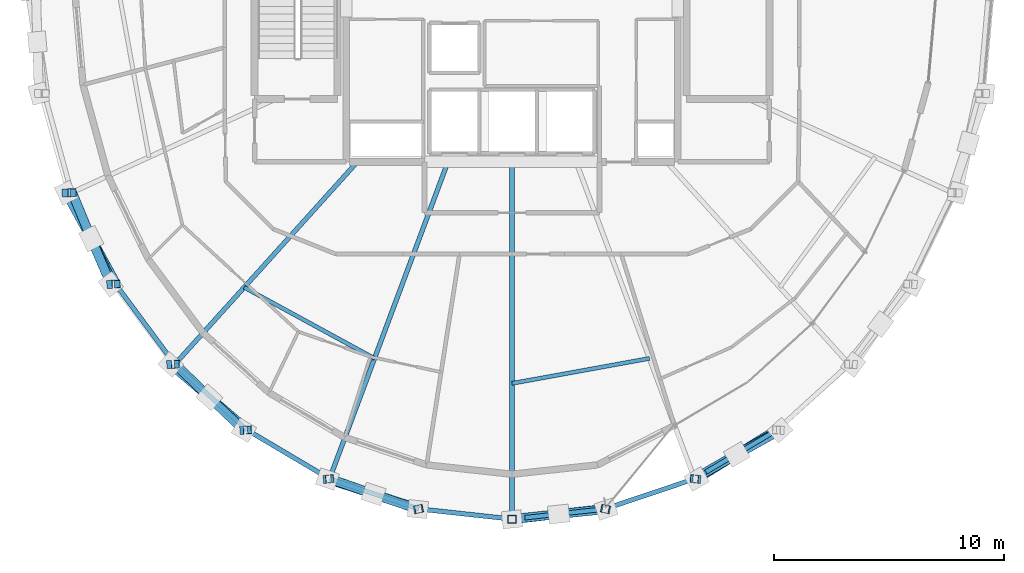
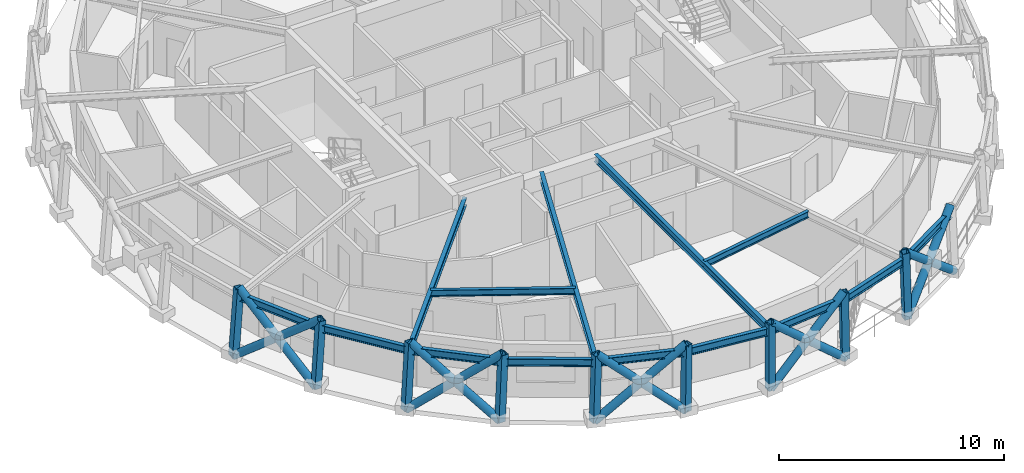
# One storey, part 1 of 15: 24 members, 14 beams.
"""IFC4 building model written with IfcOpenShell, lengths in metres."""

from ifc_helpers import new_model, si_unit, direction, frame, origin, origin_2d, place, context, subcontext, project, spatial, hollow_rectangle, hollow_circle, i_section, extrude, material, material_profile, profile_set, type_object, element, save


model = new_model("IFC4")

# Units and contexts
model_context = context("Model", 3, precision=1e-05, world=origin(), true_north=direction((0.0, 1.0)))
body_context = subcontext(model_context, "Body", "Model", "MODEL_VIEW")
ifc_project = project(units=[si_unit("LENGTHUNIT", "METRE"), si_unit("AREAUNIT", "SQUARE_METRE"), si_unit("VOLUMEUNIT", "CUBIC_METRE"), si_unit("PLANEANGLEUNIT", "RADIAN"), si_unit("MASSUNIT", "GRAM", prefix="KILO")], contexts=[model_context])

# Site, building, storey
site_placement = place(None, origin())
site = spatial("IfcSite", under=ifc_project, at=site_placement, CompositionType="ELEMENT")
building_placement = place(site_placement, origin())
building = spatial("IfcBuilding", under=site, at=building_placement, Name="Veldorina Hangang Commons", CompositionType="ELEMENT")
storey_placement = place(building_placement, frame((0.0, 0.0, 276.0)))
storey = spatial("IfcBuildingStorey", under=building, at=storey_placement, Name="L72", CompositionType="ELEMENT", Elevation=276.0)

# Beams
ifc_material = material(Name="Steel SM355-TMC", Category="steel")
ifc_material_profile_1 = material_profile(ifc_material, i_section(OverallWidth=0.199951171875, OverallDepth=0.39990234375, WebThickness=0.008056640625, FlangeThickness=0.012939453125, FilletRadius=0.012939453125, at=origin_2d()), Name="H-400x200x8x13")
ifc_profile_set_1 = profile_set([ifc_material_profile_1], Name="Steel SM355-TMC")
beam_type_1 = type_object("IfcBeamType", Name="BM-FG400", PredefinedType="BEAM", material=ifc_profile_set_1)
beam_1_placement = place(storey_placement, frame((25.281494140625, 16.550048828125, 3.159912109375), z_axis=(-0.669683766182, -0.742646385107, 0.0), x_axis=(0.742646385107, -0.669683766182, 0.0)))
element("IfcBeam", 1, at=beam_1_placement, inside=storey, type_object=beam_type_1, Name="L72 radial floor girder 11", PredefinedType="BEAM", context=body_context, shape_type="SweptSolid", body=[
    extrude(i_section(OverallWidth=0.199951171875, OverallDepth=0.39990234375, WebThickness=0.008056640625, FlangeThickness=0.012939453125, FilletRadius=0.012939453125, at=origin_2d()), origin(), (0.0, 0.0, 1.0), 11.831787109375),
])
beam_2_placement = place(storey_placement, frame((29.217041015625, 16.550048828125, 3.159912109375), z_axis=(-0.349917689305, -0.936780449578, 0.0), x_axis=(0.936780449578, -0.349917689305, 0.0)))
element("IfcBeam", 2, at=beam_2_placement, inside=storey, type_object=beam_type_1, Name="L72 radial floor girder 12", PredefinedType="BEAM", context=body_context, shape_type="SweptSolid", body=[
    extrude(i_section(OverallWidth=0.199951171875, OverallDepth=0.39990234375, WebThickness=0.008056640625, FlangeThickness=0.012939453125, FilletRadius=0.012939453125, at=origin_2d()), origin(), (0.0, 0.0, 1.0), 14.693115234375),
])
beam_3_placement = place(storey_placement, frame((32.0, 16.550048828125, 3.159912109375), z_axis=(0.0, -1.0, 0.0), x_axis=(1.0, 0.0, 0.0)))
element("IfcBeam", 3, at=beam_3_placement, inside=storey, type_object=beam_type_1, Name="L72 radial floor girder 13", PredefinedType="BEAM", context=body_context, shape_type="SweptSolid", body=[
    extrude(i_section(OverallWidth=0.199951171875, OverallDepth=0.39990234375, WebThickness=0.008056640625, FlangeThickness=0.012939453125, FilletRadius=0.012939453125, at=origin_2d()), origin(), (0.0, 0.0, 1.0), 15.51220703125),
])
ifc_material_profile_2 = material_profile(ifc_material, i_section(OverallWidth=0.175048828125, OverallDepth=0.35009765625, WebThickness=0.007080078125, FlangeThickness=0.010986328125, FilletRadius=0.012939453125, at=origin_2d()), Name="H-350x175x7x11")
ifc_profile_set_2 = profile_set([ifc_material_profile_2], Name="Steel SM355-TMC")
beam_type_2 = type_object("IfcBeamType", Name="BM-JST350", PredefinedType="JOIST", material=ifc_profile_set_2)
beam_4_placement = place(storey_placement, frame((20.368896484375, 11.102294921875, 3.18505859375), z_axis=(0.877980943961, -0.478695583895, 0.0), x_axis=(0.478695583895, 0.877980943961, 0.0)))
element("IfcBeam", 4, at=beam_4_placement, inside=storey, type_object=beam_type_2, Name="L72 secondary floor joist 11", PredefinedType="JOIST", context=body_context, shape_type="SweptSolid", body=[
    extrude(i_section(OverallWidth=0.175048828125, OverallDepth=0.35009765625, WebThickness=0.007080078125, FlangeThickness=0.010986328125, FilletRadius=0.012939453125, at=origin_2d()), origin(), (0.0, 0.0, 1.0), 6.447021484375),
])
beam_5_placement = place(storey_placement, frame((32.0, 6.9326171875, 3.18505859375), z_axis=(0.98393036376, 0.178552623257, 0.0), x_axis=(-0.178552623257, 0.98393036376, 0.0)))
element("IfcBeam", 5, at=beam_5_placement, inside=storey, type_object=beam_type_2, Name="L72 secondary floor joist 13", PredefinedType="JOIST", context=body_context, shape_type="SweptSolid", body=[
    extrude(i_section(OverallWidth=0.175048828125, OverallDepth=0.35009765625, WebThickness=0.007080078125, FlangeThickness=0.010986328125, FilletRadius=0.012939453125, at=origin_2d()), origin(), (0.0, 0.0, 1.0), 6.068115234375),
])
ifc_material_profile_3 = material_profile(ifc_material, i_section(OverallWidth=0.199951171875, OverallDepth=0.39990234375, WebThickness=0.008056640625, FlangeThickness=0.012939453125, FilletRadius=0.012939453125, at=origin_2d()), Name="H-400x200x8x13")
ifc_profile_set_3 = profile_set([ifc_material_profile_3], Name="Steel SM355-TMC")
beam_type_3 = type_object("IfcBeamType", Name="BM-RB400", PredefinedType="BEAM", material=ifc_profile_set_3)
beam_6_placement = place(storey_placement, frame((12.868896484375, 15.212890625, 3.159912109375), z_axis=(0.434248619178, -0.900793059888, 0.0), x_axis=(0.900793059888, 0.434248619178, 0.0)))
element("IfcBeam", 6, at=beam_6_placement, inside=storey, type_object=beam_type_3, Name="L72 perimeter hoop ring beam 18", PredefinedType="BEAM", context=body_context, shape_type="SweptSolid", body=[
    extrude(i_section(OverallWidth=0.199951171875, OverallDepth=0.39990234375, WebThickness=0.008056640625, FlangeThickness=0.012939453125, FilletRadius=0.012939453125, at=origin_2d()), origin(), (0.0, 0.0, 1.0), 4.4072265625),
])
beam_7_placement = place(storey_placement, frame((14.78271484375, 11.242919921875, 3.159912109375), z_axis=(0.594871429279, -0.803820864762, 0.0), x_axis=(0.803820864762, 0.594871429279, 0.0)))
element("IfcBeam", 7, at=beam_7_placement, inside=storey, type_object=beam_type_3, Name="L72 perimeter hoop ring beam 19", PredefinedType="BEAM", context=body_context, shape_type="SweptSolid", body=[
    extrude(i_section(OverallWidth=0.199951171875, OverallDepth=0.39990234375, WebThickness=0.008056640625, FlangeThickness=0.012939453125, FilletRadius=0.012939453125, at=origin_2d()), origin(), (0.0, 0.0, 1.0), 4.3291015625),
])
beam_8_placement = place(storey_placement, frame((17.35791015625, 7.76318359375, 3.159912109375), z_axis=(0.739585839401, -0.673062245381, 0.0), x_axis=(0.673062245381, 0.739585839401, 0.0)))
element("IfcBeam", 8, at=beam_8_placement, inside=storey, type_object=beam_type_3, Name="L72 perimeter hoop ring beam 20", PredefinedType="BEAM", context=body_context, shape_type="SweptSolid", body=[
    extrude(i_section(OverallWidth=0.199951171875, OverallDepth=0.39990234375, WebThickness=0.008056640625, FlangeThickness=0.012939453125, FilletRadius=0.012939453125, at=origin_2d()), origin(), (0.0, 0.0, 1.0), 4.242431640625),
])
beam_9_placement = place(storey_placement, frame((20.49560546875, 4.90771484375, 3.159912109375), z_axis=(0.860260085302, -0.50985545563, 0.0), x_axis=(0.50985545563, 0.860260085302, 0.0)))
element("IfcBeam", 9, at=beam_9_placement, inside=storey, type_object=beam_type_3, Name="L72 perimeter hoop ring beam 21", PredefinedType="BEAM", context=body_context, shape_type="SweptSolid", body=[
    extrude(i_section(OverallWidth=0.199951171875, OverallDepth=0.39990234375, WebThickness=0.008056640625, FlangeThickness=0.012939453125, FilletRadius=0.012939453125, at=origin_2d()), origin(), (0.0, 0.0, 1.0), 4.16162109375),
])
beam_10_placement = place(storey_placement, frame((24.07568359375, 2.785888671875, 3.159912109375), z_axis=(0.947797994089, -0.318871388496, 0.0), x_axis=(0.318871388496, 0.947797994089, 0.0)))
element("IfcBeam", 10, at=beam_10_placement, inside=storey, type_object=beam_type_3, Name="L72 perimeter hoop ring beam 22", PredefinedType="BEAM", context=body_context, shape_type="SweptSolid", body=[
    extrude(i_section(OverallWidth=0.199951171875, OverallDepth=0.39990234375, WebThickness=0.008056640625, FlangeThickness=0.012939453125, FilletRadius=0.012939453125, at=origin_2d()), origin(), (0.0, 0.0, 1.0), 4.098388671875),
])
for number, where, z_axis, x_axis, name in (
    (11, (27.960205078125, 1.47900390625, 3.159912109375), (0.994090041206, -0.108558693688, 0.0), (0.108558693688, 0.994090041206, 0.0), "L72 perimeter hoop ring beam 23"),
    (12, (32.0, 1.037841796875, 3.159912109375), (0.994090041206, 0.108558693688, 0.0), (-0.108558693688, 0.994090041206, 0.0), "L72 perimeter hoop ring beam 24"),
):
    element("IfcBeam", number, at=place(storey_placement, frame(where, z_axis=z_axis, x_axis=x_axis)), inside=storey, type_object=beam_type_3, Name=name, PredefinedType="BEAM", context=body_context, shape_type="SweptSolid", body=[
        extrude(i_section(OverallWidth=0.199951171875, OverallDepth=0.39990234375, WebThickness=0.008056640625, FlangeThickness=0.012939453125, FilletRadius=0.012939453125, at=origin_2d()), origin(), (0.0, 0.0, 1.0), 4.063720703125),
    ])
beam_11_placement = place(storey_placement, frame((36.039794921875, 1.47900390625, 3.159912109375), z_axis=(0.947797994089, 0.318871388496, 0.0), x_axis=(-0.318871388496, 0.947797994089, 0.0)))
element("IfcBeam", 13, at=beam_11_placement, inside=storey, type_object=beam_type_3, Name="L72 perimeter hoop ring beam 25", PredefinedType="BEAM", context=body_context, shape_type="SweptSolid", body=[
    extrude(i_section(OverallWidth=0.199951171875, OverallDepth=0.39990234375, WebThickness=0.008056640625, FlangeThickness=0.012939453125, FilletRadius=0.012939453125, at=origin_2d()), origin(), (0.0, 0.0, 1.0), 4.098388671875),
])
beam_12_placement = place(storey_placement, frame((39.92431640625, 2.785888671875, 3.159912109375), z_axis=(0.860260085302, 0.50985545563, 0.0), x_axis=(-0.50985545563, 0.860260085302, 0.0)))
element("IfcBeam", 14, at=beam_12_placement, inside=storey, type_object=beam_type_3, Name="L72 perimeter hoop ring beam 26", PredefinedType="BEAM", context=body_context, shape_type="SweptSolid", body=[
    extrude(i_section(OverallWidth=0.199951171875, OverallDepth=0.39990234375, WebThickness=0.008056640625, FlangeThickness=0.012939453125, FilletRadius=0.012939453125, at=origin_2d()), origin(), (0.0, 0.0, 1.0), 4.16162109375),
])

# Members
ifc_material_profile_4 = material_profile(ifc_material, hollow_circle(Radius=0.199951171875, WallThickness=0.02001953125, at=origin_2d()), Name="CHS-400x20")
ifc_profile_set_4 = profile_set([ifc_material_profile_4], Name="Steel SM355-TMC")
member_type_1 = type_object("IfcMemberType", Name="DG-CHS400", PredefinedType="BRACE", material=ifc_profile_set_4)
member_1_placement = place(storey_placement, frame((12.64013671875, 15.208740234375, 0.0), z_axis=(0.375708094426, -0.686101366635, 0.622983420714), x_axis=(0.877103852055, 0.480300773173, 0.0)))
element("IfcMember", 15, at=member_1_placement, inside=storey, type_object=member_type_1, Name="L72 continuous perimeter diagrid brace 18", PredefinedType="BRACE", context=body_context, shape_type="SweptSolid", body=[
    extrude(hollow_circle(Radius=0.199951171875, WallThickness=0.02001953125, at=origin_2d()), origin(), (0.0, 0.0, 1.0), 5.77880859375),
])
member_2_placement = place(storey_placement, frame((14.57666015625, 11.237060546875, 0.0), z_axis=(-0.301870318793, 0.705954847285, 0.640704350092), x_axis=(-0.919466223753, -0.393169001037, 0.0)))
element("IfcMember", 16, at=member_2_placement, inside=storey, type_object=member_type_1, Name="L72 split perimeter diagrid lower brace 19", PredefinedType="BRACE", context=body_context, shape_type="SweptSolid", body=[
    extrude(hollow_circle(Radius=0.199951171875, WallThickness=0.02001953125, at=origin_2d()), origin(), (0.0, 0.0, 1.0), 2.813720703125),
])
member_3_placement = place(storey_placement, frame((13.727294921875, 13.223388671875, 1.802734375), z_axis=(-0.294519276188, 0.709195456487, 0.640546798019), x_axis=(-0.923528823768, -0.383529023243, 0.0)))
element("IfcMember", 17, at=member_3_placement, inside=storey, type_object=member_type_1, Name="L72 split perimeter diagrid upper brace 19", PredefinedType="BRACE", context=body_context, shape_type="SweptSolid", body=[
    extrude(hollow_circle(Radius=0.199951171875, WallThickness=0.02001953125, at=origin_2d()), origin(), (0.0, 0.0, 1.0), 2.805908203125),
])
member_4_placement = place(storey_placement, frame((17.1826171875, 7.755859375, 0.0), z_axis=(0.587512519948, -0.501940324941, 0.634732186912), x_axis=(0.649565691438, 0.760305473153, 0.0)))
element("IfcMember", 18, at=member_4_placement, inside=storey, type_object=member_type_1, Name="L72 continuous perimeter diagrid brace 20", PredefinedType="BRACE", context=body_context, shape_type="SweptSolid", body=[
    extrude(hollow_circle(Radius=0.199951171875, WallThickness=0.02001953125, at=origin_2d()), origin(), (0.0, 0.0, 1.0), 5.671875),
])
member_5_placement = place(storey_placement, frame((20.358154296875, 4.89892578125, 0.0), z_axis=(-0.546510750482, 0.519256234498, 0.657038022144), x_axis=(-0.688798979802, -0.724952388384, 0.0)))
element("IfcMember", 19, at=member_5_placement, inside=storey, type_object=member_type_1, Name="L72 split perimeter diagrid lower brace 21", PredefinedType="BRACE", context=body_context, shape_type="SweptSolid", body=[
    extrude(hollow_circle(Radius=0.199951171875, WallThickness=0.02001953125, at=origin_2d()), origin(), (0.0, 0.0, 1.0), 2.75),
])
member_6_placement = place(storey_placement, frame((18.855224609375, 6.326904296875, 1.806884765625), z_axis=(-0.53963968265, 0.526582441406, 0.65688655437), x_axis=(-0.698394994903, -0.715712533839, 0.0)))
element("IfcMember", 20, at=member_6_placement, inside=storey, type_object=member_type_1, Name="L72 split perimeter diagrid upper brace 21", PredefinedType="BRACE", context=body_context, shape_type="SweptSolid", body=[
    extrude(hollow_circle(Radius=0.199951171875, WallThickness=0.02001953125, at=origin_2d()), origin(), (0.0, 0.0, 1.0), 2.72998046875),
])
member_7_placement = place(storey_placement, frame((23.98095703125, 2.77587890625, 0.0), z_axis=(0.721446636571, -0.234413818032, 0.65158645819), x_axis=(0.309018897447, 0.951055897948, 0.0)))
element("IfcMember", 21, at=member_7_placement, inside=storey, type_object=member_type_1, Name="L72 continuous perimeter diagrid brace 22", PredefinedType="BRACE", context=body_context, shape_type="SweptSolid", body=[
    extrude(hollow_circle(Radius=0.199951171875, WallThickness=0.02001953125, at=origin_2d()), origin(), (0.0, 0.0, 1.0), 5.525146484375),
])
member_8_placement = place(storey_placement, frame((27.911865234375, 1.46875, 0.0), z_axis=(-0.707063017632, 0.240677510439, 0.664933248579), x_axis=(-0.32223405008, -0.946660032413, 0.0)))
element("IfcMember", 22, at=member_8_placement, inside=storey, type_object=member_type_1, Name="L72 split perimeter diagrid lower brace 23", PredefinedType="BRACE", context=body_context, shape_type="SweptSolid", body=[
    extrude(hollow_circle(Radius=0.199951171875, WallThickness=0.02001953125, at=origin_2d()), origin(), (0.0, 0.0, 1.0), 2.7236328125),
])
member_9_placement = place(storey_placement, frame((25.986083984375, 2.124267578125, 1.81103515625), z_axis=(-0.705117691671, 0.246351117345, 0.664921174182), x_axis=(-0.329825481879, -0.944041922535, 0.0)))
element("IfcMember", 23, at=member_9_placement, inside=storey, type_object=member_type_1, Name="L72 split perimeter diagrid upper brace 23", PredefinedType="BRACE", context=body_context, shape_type="SweptSolid", body=[
    extrude(hollow_circle(Radius=0.199951171875, WallThickness=0.02001953125, at=origin_2d()), origin(), (0.0, 0.0, 1.0), 2.690673828125),
])
member_10_placement = place(storey_placement, frame((32.0, 1.02734375, 0.0), z_axis=(0.74339778, 0.083569809157, 0.663608188382), x_axis=(-0.111712347444, 0.99374058558, 0.0)))
element("IfcMember", 24, at=member_10_placement, inside=storey, type_object=member_type_1, Name="L72 continuous perimeter diagrid brace 24", PredefinedType="BRACE", context=body_context, shape_type="SweptSolid", body=[
    extrude(hollow_circle(Radius=0.199951171875, WallThickness=0.02001953125, at=origin_2d()), origin(), (0.0, 0.0, 1.0), 5.425048828125),
])
member_11_placement = place(storey_placement, frame((36.088134765625, 1.46875, 0.0), z_axis=(-0.748297554973, -0.07749273612, 0.658821406051), x_axis=(0.103007842798, -0.994680543854, 0.0)))
element("IfcMember", 25, at=member_11_placement, inside=storey, type_object=member_type_1, Name="L72 split perimeter diagrid lower brace 25", PredefinedType="BRACE", context=body_context, shape_type="SweptSolid", body=[
    extrude(hollow_circle(Radius=0.199951171875, WallThickness=0.02001953125, at=origin_2d()), origin(), (0.0, 0.0, 1.0), 2.75048828125),
])
member_12_placement = place(storey_placement, frame((34.030029296875, 1.255615234375, 1.81201171875), z_axis=(-0.748021654765, -0.079705013364, 0.658870787672), x_axis=(0.105954621283, -0.994370966103, 0.0)))
element("IfcMember", 26, at=member_12_placement, inside=storey, type_object=member_type_1, Name="L72 split perimeter diagrid upper brace 25", PredefinedType="BRACE", context=body_context, shape_type="SweptSolid", body=[
    extrude(hollow_circle(Radius=0.199951171875, WallThickness=0.02001953125, at=origin_2d()), origin(), (0.0, 0.0, 1.0), 2.7138671875),
])
member_13_placement = place(storey_placement, frame((40.01904296875, 2.77587890625, 0.0), z_axis=(0.637892206511, 0.392566331499, 0.662559588449), x_axis=(-0.524114160381, 0.851648018191, 0.0)))
element("IfcMember", 27, at=member_13_placement, inside=storey, type_object=member_type_1, Name="L72 continuous perimeter diagrid brace 26", PredefinedType="BRACE", context=body_context, shape_type="SweptSolid", body=[
    extrude(hollow_circle(Radius=0.199951171875, WallThickness=0.02001953125, at=origin_2d()), origin(), (0.0, 0.0, 1.0), 5.43359375),
])
member_14_placement = place(storey_placement, frame((43.641845703125, 4.89892578125, 0.0), z_axis=(-0.668542631427, -0.373582038979, 0.643029711691), x_axis=(0.487806119917, -0.872951997175, 0.0)))
element("IfcMember", 28, at=member_14_placement, inside=storey, type_object=member_type_1, Name="L72 split perimeter diagrid lower brace 27", PredefinedType="BRACE", context=body_context, shape_type="SweptSolid", body=[
    extrude(hollow_circle(Radius=0.199951171875, WallThickness=0.02001953125, at=origin_2d()), origin(), (0.0, 0.0, 1.0), 2.8134765625),
])
member_15_placement = place(storey_placement, frame((41.760986328125, 3.847900390625, 1.80908203125), z_axis=(-0.664273926266, -0.380925195938, 0.643145509184), x_axis=(0.497457638948, -0.867488269346, 0.0)))
element("IfcMember", 29, at=member_15_placement, inside=storey, type_object=member_type_1, Name="L72 split perimeter diagrid upper brace 27", PredefinedType="BRACE", context=body_context, shape_type="SweptSolid", body=[
    extrude(hollow_circle(Radius=0.199951171875, WallThickness=0.02001953125, at=origin_2d()), origin(), (0.0, 0.0, 1.0), 2.78466796875),
])
ifc_material_profile_5 = material_profile(ifc_material, hollow_rectangle(XDim=0.35009765625, YDim=0.35009765625, WallThickness=0.01611328125, at=origin_2d()), Name="SHS-350x350x16")
ifc_profile_set_5 = profile_set([ifc_material_profile_5], Name="Steel SM355-TMC")
member_type_2 = type_object("IfcMemberType", Name="STR-SHS350", PredefinedType="STRUT", material=ifc_profile_set_5)
member_16_placement = place(storey_placement, frame((12.64013671875, 15.208740234375, 0.0), z_axis=(0.072237145634, 0.001285117759, 0.99738665685), x_axis=(-0.01778744759, 0.999841790839, 0.0)))
element("IfcMember", 30, at=member_16_placement, inside=storey, type_object=member_type_2, Name="L72 perimeter ring node post 18", PredefinedType="STRUT", context=body_context, shape_type="SweptSolid", body=[
    extrude(hollow_rectangle(XDim=0.35009765625, YDim=0.35009765625, WallThickness=0.01611328125, at=origin_2d()), origin(), (0.0, 0.0, 1.0), 3.609619140625),
])
member_17_placement = place(storey_placement, frame((14.57666015625, 11.237060546875, 0.0), z_axis=(0.065032144123, 0.001894797123, 0.997881370692), x_axis=(-0.029123956933, 0.999575807597, 0.0)))
element("IfcMember", 31, at=member_17_placement, inside=storey, type_object=member_type_2, Name="L72 perimeter ring node post 19", PredefinedType="STRUT", context=body_context, shape_type="SweptSolid", body=[
    extrude(hollow_rectangle(XDim=0.35009765625, YDim=0.35009765625, WallThickness=0.01611328125, at=origin_2d()), origin(), (0.0, 0.0, 1.0), 3.607666015625),
])
member_18_placement = place(storey_placement, frame((17.1826171875, 7.755859375, 0.0), z_axis=(0.055319857399, 0.002369883732, 0.998465871739), x_axis=(-0.042800400862, 0.999083642988, 0.0)))
element("IfcMember", 32, at=member_18_placement, inside=storey, type_object=member_type_2, Name="L72 perimeter ring node post 20", PredefinedType="STRUT", context=body_context, shape_type="SweptSolid", body=[
    extrude(hollow_rectangle(XDim=0.35009765625, YDim=0.35009765625, WallThickness=0.01611328125, at=origin_2d()), origin(), (0.0, 0.0, 1.0), 3.605712890625),
])
member_19_placement = place(storey_placement, frame((20.358154296875, 4.89892578125, 0.0), z_axis=(0.043495858992, 0.002777772926, 0.999049745622), x_axis=(-0.063733093725, 0.997966979797, 0.0)))
element("IfcMember", 33, at=member_19_placement, inside=storey, type_object=member_type_2, Name="L72 perimeter ring node post 21", PredefinedType="STRUT", context=body_context, shape_type="SweptSolid", body=[
    extrude(hollow_rectangle(XDim=0.35009765625, YDim=0.35009765625, WallThickness=0.01611328125, at=origin_2d()), origin(), (0.0, 0.0, 1.0), 3.603515625),
])
member_20_placement = place(storey_placement, frame((23.98095703125, 2.77587890625, 0.0), z_axis=(0.02996062848, 0.003118074457, 0.999546216217), x_axis=(-0.103513328199, 0.994628066608, 0.0)))
element("IfcMember", 34, at=member_20_placement, inside=storey, type_object=member_type_2, Name="L72 perimeter ring node post 22", PredefinedType="STRUT", context=body_context, shape_type="SweptSolid", body=[
    extrude(hollow_rectangle(XDim=0.35009765625, YDim=0.35009765625, WallThickness=0.01611328125, at=origin_2d()), origin(), (0.0, 0.0, 1.0), 3.601806640625),
])
member_21_placement = place(storey_placement, frame((27.911865234375, 1.46875, 0.0), z_axis=(0.015324305885, 0.003322526497, 0.999877055676), x_axis=(-0.211891025137, 0.977293299612, 0.0)))
element("IfcMember", 35, at=member_21_placement, inside=storey, type_object=member_type_2, Name="L72 perimeter ring node post 23", PredefinedType="STRUT", context=body_context, shape_type="SweptSolid", body=[
    extrude(hollow_rectangle(XDim=0.35009765625, YDim=0.35009765625, WallThickness=0.01611328125, at=origin_2d()), origin(), (0.0, 0.0, 1.0), 3.6005859375),
])
member_22_placement = place(storey_placement, frame((32.0, 1.02734375, 0.0), z_axis=(0.0, 0.003322916688, 0.999994479097), x_axis=(-1.0, 0.0, 0.0)))
element("IfcMember", 36, at=member_22_placement, inside=storey, type_object=member_type_2, Name="L72 perimeter ring node post 24", PredefinedType="STRUT", context=body_context, shape_type="SweptSolid", body=[
    extrude(hollow_rectangle(XDim=0.35009765625, YDim=0.35009765625, WallThickness=0.01611328125, at=origin_2d()), origin(), (0.0, 0.0, 1.0), 3.60009765625),
])
member_23_placement = place(storey_placement, frame((36.088134765625, 1.46875, 0.0), z_axis=(-0.015324305885, 0.003322526497, 0.999877055676), x_axis=(-0.211891025137, -0.977293299612, 0.0)))
element("IfcMember", 37, at=member_23_placement, inside=storey, type_object=member_type_2, Name="L72 perimeter ring node post 25", PredefinedType="STRUT", context=body_context, shape_type="SweptSolid", body=[
    extrude(hollow_rectangle(XDim=0.35009765625, YDim=0.35009765625, WallThickness=0.01611328125, at=origin_2d()), origin(), (0.0, 0.0, 1.0), 3.6005859375),
])
member_24_placement = place(storey_placement, frame((40.01904296875, 2.77587890625, 0.0), z_axis=(-0.02996062848, 0.003118074457, 0.999546216217), x_axis=(-0.103513328199, -0.994628066608, 0.0)))
element("IfcMember", 38, at=member_24_placement, inside=storey, type_object=member_type_2, Name="L72 perimeter ring node post 26", PredefinedType="STRUT", context=body_context, shape_type="SweptSolid", body=[
    extrude(hollow_rectangle(XDim=0.35009765625, YDim=0.35009765625, WallThickness=0.01611328125, at=origin_2d()), origin(), (0.0, 0.0, 1.0), 3.601806640625),
])

save(model, "model.ifc")
